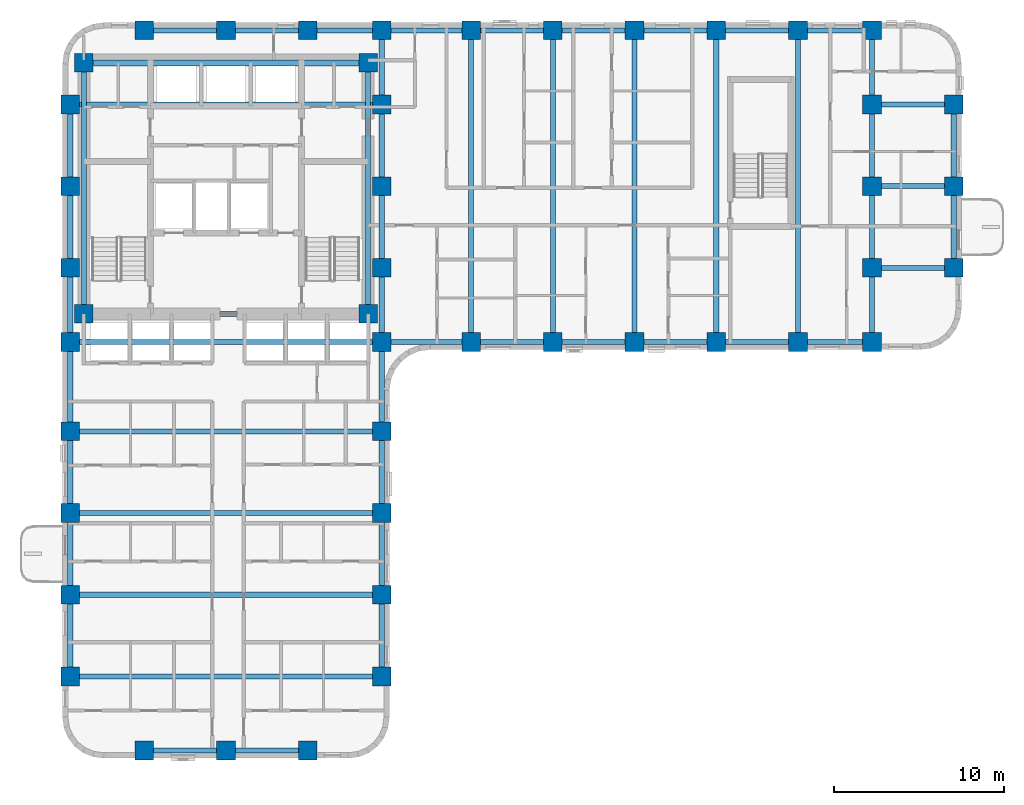
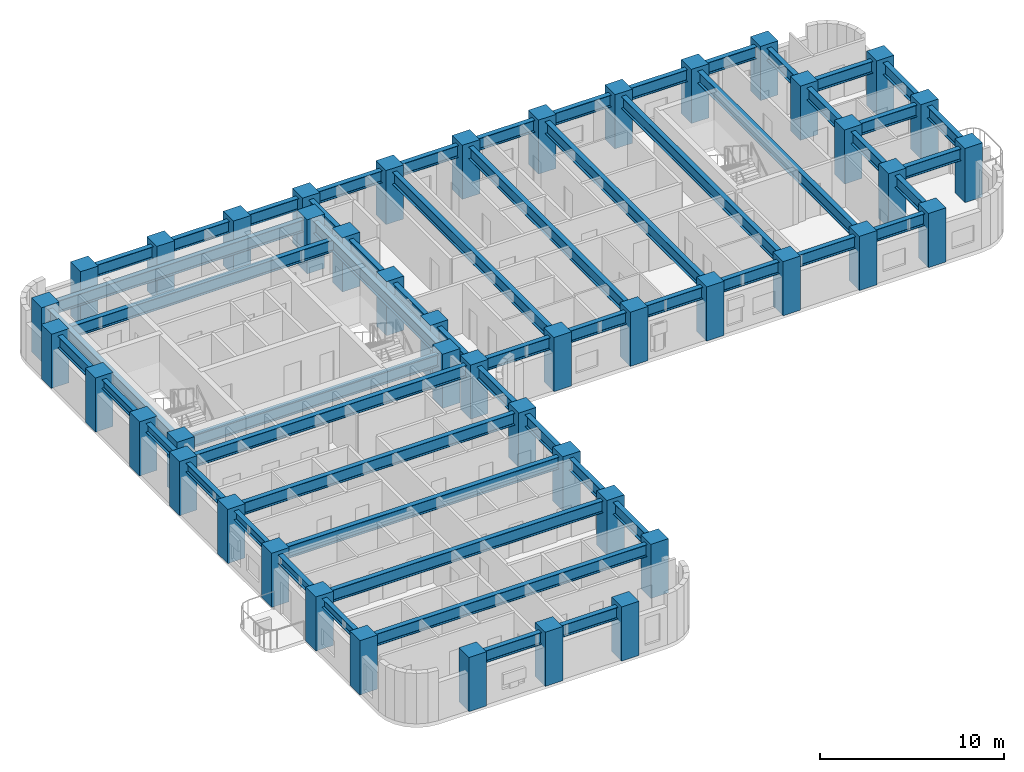
# One storey, part 1 of 10: 56 beams, 45 columns.
"""IFC4 building model written with IfcOpenShell, lengths in metres."""

from ifc_helpers import new_model, si_unit, direction, frame, origin, origin_2d, place, context, subcontext, project, spatial, rectangle, i_section, extrude, material, material_profile, profile_set, type_object, element, save


model = new_model("IFC4")

# Units and contexts
model_context = context("Model", 3, precision=1e-05, world=origin(), true_north=direction((0.0, 1.0)))
body_context = subcontext(model_context, "Body", "Model", "MODEL_VIEW")
ifc_project = project(units=[si_unit("LENGTHUNIT", "METRE"), si_unit("AREAUNIT", "SQUARE_METRE"), si_unit("VOLUMEUNIT", "CUBIC_METRE"), si_unit("PLANEANGLEUNIT", "RADIAN"), si_unit("MASSUNIT", "GRAM", prefix="KILO")], contexts=[model_context])

# Site, building, storey
site_placement = place(None, origin())
site = spatial("IfcSite", under=ifc_project, at=site_placement, CompositionType="ELEMENT")
building_placement = place(site_placement, origin())
building = spatial("IfcBuilding", under=site, at=building_placement, Name="Orvandelia Arch Residences", CompositionType="ELEMENT")
storey_placement = place(building_placement, frame((0.0, 0.0, 32.199951171875)))
storey = spatial("IfcBuildingStorey", under=building, at=storey_placement, Name="L07", CompositionType="ELEMENT", Elevation=32.199951171875)

# Columns
ifc_material_1 = material(Name="Concrete C80/95", Category="concrete")
ifc_material_profile_1 = material_profile(ifc_material_1, rectangle(XDim=1.10009765625, YDim=1.10009765625, at=origin_2d()), Name="Concrete C80/95", Category="concrete")
ifc_profile_set_1 = profile_set([ifc_material_profile_1], Name="Concrete C80/95")
column_type = type_object("IfcColumnType", Name="COL-TWR-1100", PredefinedType="COLUMN", material=ifc_profile_set_1)
for number, where, z_axis, x_axis, name in (
    (1, (5.25, 9.60009765625, 0.0), (0.0, 0.0, 1.0), (1.0, 0.0, 0.0), "Structural Column L07-W-W-96"),
    (2, (5.25, 14.39990234375, 0.0), (0.0, 0.0, 1.0), (1.0, 0.0, 0.0), "Structural Column L07-W-W-144"),
    (3, (5.25, 19.199951171875, 0.0), (0.0, 0.0, 1.0), (1.0, 0.0, 0.0), "Structural Column L07-W-W-192"),
    (4, (5.25, 24.0, 0.0), (0.0, 0.0, 1.0), (1.0, 0.0, 0.0), "Structural Column L07-W-W-240"),
    (5, (5.25, 29.25, 0.0), (0.0, 0.0, 1.0), (1.0, 0.0, 0.0), "Structural Column L07-W-W-292"),
    (6, (5.25, 33.60009765625, 0.0), (0.0, 0.0, 1.0), (1.0, 0.0, 0.0), "Structural Column L07-W-W-336"),
    (7, (5.25, 38.39990234375, 0.0), (0.0, 0.0, 1.0), (1.0, 0.0, 0.0), "Structural Column L07-W-W-384"),
    (8, (5.25, 43.199951171875, 0.0), (0.0, 0.0, 1.0), (1.0, 0.0, 0.0), "Structural Column L07-W-W-432"),
    (9, (6.050048828125, 30.89990234375, 0.0), (0.0, 0.0, 1.0), (1.0, 0.0, 0.0), "Structural Column L07-CR-SW"),
    (10, (6.050048828125, 45.64990234375, 0.0), (0.0, 0.0, 1.0), (1.0, 0.0, 0.0), "Structural Column L07-CR-NW"),
    (11, (9.60009765625, 5.25, 0.0), (0.0, 0.0, 1.0), (1.0, 0.0, 0.0), "Structural Column L07-W-S-96"),
    (12, (9.60009765625, 47.550048828125, 0.0), (0.0, 0.0, 1.0), (1.0, 0.0, 0.0), "Structural Column L07-W-N-96"),
    (13, (14.39990234375, 5.25, 0.0), (0.0, 0.0, 1.0), (1.0, 0.0, 0.0), "Structural Column L07-W-S-144"),
    (14, (14.39990234375, 47.550048828125, 0.0), (0.0, 0.0, 1.0), (1.0, 0.0, 0.0), "Structural Column L07-W-N-144"),
    (15, (19.199951171875, 5.25, 0.0), (0.0, 0.0, 1.0), (1.0, 0.0, 0.0), "Structural Column L07-W-S-192"),
    (16, (19.199951171875, 47.550048828125, 0.0), (0.0, 0.0, 1.0), (1.0, 0.0, 0.0), "Structural Column L07-W-N-192"),
    (17, (22.75, 30.89990234375, 0.0), (0.0, 0.0, 1.0), (1.0, 0.0, 0.0), "Structural Column L07-CR-SE"),
    (18, (22.75, 45.64990234375, 0.0), (0.0, 0.0, 1.0), (1.0, 0.0, 0.0), "Structural Column L07-CR-NE"),
    (19, (23.550048828125, 9.60009765625, 0.0), (0.0, 0.0, 1.0), (1.0, 0.0, 0.0), "Structural Column L07-W-E-96"),
    (20, (23.550048828125, 14.39990234375, 0.0), (0.0, 0.0, 1.0), (1.0, 0.0, 0.0), "Structural Column L07-W-E-144"),
    (21, (23.550048828125, 19.199951171875, 0.0), (0.0, 0.0, 1.0), (1.0, 0.0, 0.0), "Structural Column L07-W-E-192"),
    (22, (23.550048828125, 24.0, 0.0), (0.0, 0.0, 1.0), (1.0, 0.0, 0.0), "Structural Column L07-W-E-240"),
    (23, (23.550048828125, 29.25, 0.0), (0.0, 0.0, 1.0), (1.0, 0.0, 0.0), "Structural Column L07-W-E-292"),
    (24, (23.550048828125, 33.60009765625, 0.0), (0.0, 0.0, 1.0), (1.0, 0.0, 0.0), "Structural Column L07-W-E-336"),
    (25, (23.550048828125, 38.39990234375, 0.0), (0.0, 0.0, 1.0), (1.0, 0.0, 0.0), "Structural Column L07-W-E-384"),
    (26, (23.550048828125, 43.199951171875, 0.0), (0.0, 0.0, 1.0), (1.0, 0.0, 0.0), "Structural Column L07-W-E-432"),
    (27, (23.550048828125, 47.550048828125, 0.0), (0.0, 0.0, 1.0), (1.0, 0.0, 0.0), "Structural Column L07-W-N-235"),
    (28, (28.800048828125, 29.25, 0.0), (0.0, 0.0, 1.0), (1.0, 0.0, 0.0), "Structural Column L07-E-S-288"),
    (29, (28.800048828125, 47.550048828125, 0.0), (0.0, 0.0, 1.0), (1.0, 0.0, 0.0), "Structural Column L07-E-N-288"),
    (30, (33.60009765625, 29.25, 0.0), (0.0, 0.0, 1.0), (1.0, 0.0, 0.0), "Structural Column L07-E-S-336"),
    (31, (33.60009765625, 47.550048828125, 0.0), (0.0, 0.0, 1.0), (1.0, 0.0, 0.0), "Structural Column L07-E-N-336"),
    (32, (38.39990234375, 29.25, 0.0), (0.0, 0.0, 1.0), (1.0, 0.0, 0.0), "Structural Column L07-E-S-384"),
    (33, (38.39990234375, 47.550048828125, 0.0), (0.0, 0.0, 1.0), (1.0, 0.0, 0.0), "Structural Column L07-E-N-384"),
    (34, (43.199951171875, 29.25, 0.0), (0.0, 0.0, 1.0), (1.0, 0.0, 0.0), "Structural Column L07-E-S-432"),
    (35, (43.199951171875, 47.550048828125, 0.0), (0.0, 0.0, 1.0), (1.0, 0.0, 0.0), "Structural Column L07-E-N-432"),
    (36, (48.0, 29.25, 0.0), (0.0, 0.0, 1.0), (1.0, 0.0, 0.0), "Structural Column L07-E-S-480"),
    (37, (48.0, 47.550048828125, 0.0), (0.0, 0.0, 1.0), (1.0, 0.0, 0.0), "Structural Column L07-E-N-480"),
    (38, (52.35009765625, 29.25, 0.0), (0.0, 0.0, 1.0), (1.0, 0.0, 0.0), "Structural Column L07-E-S-523"),
    (39, (52.35009765625, 33.60009765625, 0.0), (0.0, 0.0, 1.0), (1.0, 0.0, 0.0), "Structural Column L07-E-523-336"),
    (40, (52.35009765625, 38.39990234375, 0.0), (0.0, 0.0, 1.0), (1.0, 0.0, 0.0), "Structural Column L07-E-523-384"),
    (41, (52.35009765625, 43.199951171875, 0.0), (0.0, 0.0, 1.0), (1.0, 0.0, 0.0), "Structural Column L07-E-523-432"),
    (42, (52.35009765625, 47.550048828125, 0.0), (0.0, 0.0, 1.0), (1.0, 0.0, 0.0), "Structural Column L07-E-N-523"),
    (43, (57.14990234375, 33.60009765625, 0.0), (0.0, 0.0, 1.0), (1.0, 0.0, 0.0), "Structural Column L07-E-571-336"),
    (44, (57.14990234375, 38.39990234375, 0.0), (0.0, 0.0, 1.0), (1.0, 0.0, 0.0), "Structural Column L07-E-571-384"),
    (45, (57.14990234375, 43.199951171875, 0.0), (0.0, 0.0, 1.0), (1.0, 0.0, 0.0), "Structural Column L07-E-571-432"),
):
    element("IfcColumn", number, at=place(storey_placement, frame(where, z_axis=z_axis, x_axis=x_axis)), inside=storey, type_object=column_type, Name=name, PredefinedType="COLUMN", context=body_context, shape_type="SweptSolid", body=[
        extrude(rectangle(XDim=1.10009765625, YDim=1.10009765625, at=origin_2d()), origin(), (0.0, 0.0, 1.0), 3.60009765625),
    ])

# Beams
ifc_material_2 = material(Name="Structural Steel SM355 (355 MPa)", Category="steel")
ifc_material_profile_2 = material_profile(ifc_material_2, i_section(OverallWidth=0.300048828125, OverallDepth=0.800048828125, WebThickness=0.013916015625, FlangeThickness=0.02587890625, FilletRadius=0.02587890625, at=origin_2d()), Name="Structural Steel SM355 (355 MPa)", Category="steel")
ifc_profile_set_2 = profile_set([ifc_material_profile_2], Name="Structural Steel SM355 (355 MPa)")
beam_type_1 = type_object("IfcBeamType", Name="BM-GRD-H800", PredefinedType="BEAM", material=ifc_profile_set_2)
beam_1_placement = place(storey_placement, frame((5.25, 38.39990234375, 2.949951171875), z_axis=(0.0, 1.0, 0.0), x_axis=(-1.0, 0.0, 0.0)))
element("IfcBeam", 46, at=beam_1_placement, inside=storey, type_object=beam_type_1, Name="Structural Frame Beam L07-NS-007", PredefinedType="BEAM", context=body_context, shape_type="SweptSolid", body=[
    extrude(i_section(OverallWidth=0.300048828125, OverallDepth=0.800048828125, WebThickness=0.013916015625, FlangeThickness=0.02587890625, FilletRadius=0.02587890625, at=origin_2d()), origin(), (0.0, 0.0, 1.0), 4.800048828125),
])
for number, where, z_axis, x_axis, name in (
    (47, (6.050048828125, 30.89990234375, 2.949951171875), (0.0, 1.0, 0.0), (-1.0, 0.0, 0.0), "Structural Frame Beam L07-NS-008"),
    (48, (22.75, 30.89990234375, 2.949951171875), (0.0, 1.0, 0.0), (-1.0, 0.0, 0.0), "Structural Frame Beam L07-NS-009"),
):
    element("IfcBeam", number, at=place(storey_placement, frame(where, z_axis=z_axis, x_axis=x_axis)), inside=storey, type_object=beam_type_1, Name=name, PredefinedType="BEAM", context=body_context, shape_type="SweptSolid", body=[
        extrude(i_section(OverallWidth=0.300048828125, OverallDepth=0.800048828125, WebThickness=0.013916015625, FlangeThickness=0.02587890625, FilletRadius=0.02587890625, at=origin_2d()), origin(), (0.0, 0.0, 1.0), 14.75),
    ])
beam_2_placement = place(storey_placement, frame((23.550048828125, 9.60009765625, 2.949951171875), z_axis=(0.0, 1.0, 0.0), x_axis=(-1.0, 0.0, 0.0)))
element("IfcBeam", 49, at=beam_2_placement, inside=storey, type_object=beam_type_1, Name="Structural Frame Beam L07-NS-010", PredefinedType="BEAM", context=body_context, shape_type="SweptSolid", body=[
    extrude(i_section(OverallWidth=0.300048828125, OverallDepth=0.800048828125, WebThickness=0.013916015625, FlangeThickness=0.02587890625, FilletRadius=0.02587890625, at=origin_2d()), origin(), (0.0, 0.0, 1.0), 4.7998046875),
])
for number, where, z_axis, x_axis, name in (
    (50, (23.550048828125, 14.39990234375, 2.949951171875), (0.0, 1.0, 0.0), (-1.0, 0.0, 0.0), "Structural Frame Beam L07-NS-011"),
    (51, (23.550048828125, 19.199951171875, 2.949951171875), (0.0, 1.0, 0.0), (-1.0, 0.0, 0.0), "Structural Frame Beam L07-NS-012"),
):
    element("IfcBeam", number, at=place(storey_placement, frame(where, z_axis=z_axis, x_axis=x_axis)), inside=storey, type_object=beam_type_1, Name=name, PredefinedType="BEAM", context=body_context, shape_type="SweptSolid", body=[
        extrude(i_section(OverallWidth=0.300048828125, OverallDepth=0.800048828125, WebThickness=0.013916015625, FlangeThickness=0.02587890625, FilletRadius=0.02587890625, at=origin_2d()), origin(), (0.0, 0.0, 1.0), 4.800048828125),
    ])
beam_3_placement = place(storey_placement, frame((23.550048828125, 24.0, 2.949951171875), z_axis=(0.0, 1.0, 0.0), x_axis=(-1.0, 0.0, 0.0)))
element("IfcBeam", 52, at=beam_3_placement, inside=storey, type_object=beam_type_1, Name="Structural Frame Beam L07-NS-013", PredefinedType="BEAM", context=body_context, shape_type="SweptSolid", body=[
    extrude(i_section(OverallWidth=0.300048828125, OverallDepth=0.800048828125, WebThickness=0.013916015625, FlangeThickness=0.02587890625, FilletRadius=0.02587890625, at=origin_2d()), origin(), (0.0, 0.0, 1.0), 5.25),
])
beam_4_placement = place(storey_placement, frame((23.550048828125, 29.25, 2.949951171875), z_axis=(0.0, 1.0, 0.0), x_axis=(-1.0, 0.0, 0.0)))
element("IfcBeam", 53, at=beam_4_placement, inside=storey, type_object=beam_type_1, Name="Structural Frame Beam L07-NS-014", PredefinedType="BEAM", context=body_context, shape_type="SweptSolid", body=[
    extrude(i_section(OverallWidth=0.300048828125, OverallDepth=0.800048828125, WebThickness=0.013916015625, FlangeThickness=0.02587890625, FilletRadius=0.02587890625, at=origin_2d()), origin(), (0.0, 0.0, 1.0), 4.35009765625),
])
beam_5_placement = place(storey_placement, frame((23.550048828125, 33.60009765625, 2.949951171875), z_axis=(0.0, 1.0, 0.0), x_axis=(-1.0, 0.0, 0.0)))
element("IfcBeam", 54, at=beam_5_placement, inside=storey, type_object=beam_type_1, Name="Structural Frame Beam L07-NS-015", PredefinedType="BEAM", context=body_context, shape_type="SweptSolid", body=[
    extrude(i_section(OverallWidth=0.300048828125, OverallDepth=0.800048828125, WebThickness=0.013916015625, FlangeThickness=0.02587890625, FilletRadius=0.02587890625, at=origin_2d()), origin(), (0.0, 0.0, 1.0), 4.7998046875),
])
beam_6_placement = place(storey_placement, frame((23.550048828125, 38.39990234375, 2.949951171875), z_axis=(0.0, 1.0, 0.0), x_axis=(-1.0, 0.0, 0.0)))
element("IfcBeam", 55, at=beam_6_placement, inside=storey, type_object=beam_type_1, Name="Structural Frame Beam L07-NS-016", PredefinedType="BEAM", context=body_context, shape_type="SweptSolid", body=[
    extrude(i_section(OverallWidth=0.300048828125, OverallDepth=0.800048828125, WebThickness=0.013916015625, FlangeThickness=0.02587890625, FilletRadius=0.02587890625, at=origin_2d()), origin(), (0.0, 0.0, 1.0), 4.800048828125),
])
beam_7_placement = place(storey_placement, frame((23.550048828125, 43.199951171875, 2.949951171875), z_axis=(0.0, 1.0, 0.0), x_axis=(-1.0, 0.0, 0.0)))
element("IfcBeam", 56, at=beam_7_placement, inside=storey, type_object=beam_type_1, Name="Structural Frame Beam L07-NS-017", PredefinedType="BEAM", context=body_context, shape_type="SweptSolid", body=[
    extrude(i_section(OverallWidth=0.300048828125, OverallDepth=0.800048828125, WebThickness=0.013916015625, FlangeThickness=0.02587890625, FilletRadius=0.02587890625, at=origin_2d()), origin(), (0.0, 0.0, 1.0), 4.35009765625),
])
for number, where, z_axis, x_axis, name in (
    (57, (28.800048828125, 29.25, 2.949951171875), (0.0, 1.0, 0.0), (-1.0, 0.0, 0.0), "Structural Frame Beam L07-NS-018"),
    (58, (33.60009765625, 29.25, 2.949951171875), (0.0, 1.0, 0.0), (-1.0, 0.0, 0.0), "Structural Frame Beam L07-NS-019"),
    (59, (38.39990234375, 29.25, 2.949951171875), (0.0, 1.0, 0.0), (-1.0, 0.0, 0.0), "Structural Frame Beam L07-NS-020"),
    (60, (43.199951171875, 29.25, 2.949951171875), (0.0, 1.0, 0.0), (-1.0, 0.0, 0.0), "Structural Frame Beam L07-NS-021"),
    (61, (48.0, 29.25, 2.949951171875), (0.0, 1.0, 0.0), (-1.0, 0.0, 0.0), "Structural Frame Beam L07-NS-022"),
):
    element("IfcBeam", number, at=place(storey_placement, frame(where, z_axis=z_axis, x_axis=x_axis)), inside=storey, type_object=beam_type_1, Name=name, PredefinedType="BEAM", context=body_context, shape_type="SweptSolid", body=[
        extrude(i_section(OverallWidth=0.300048828125, OverallDepth=0.800048828125, WebThickness=0.013916015625, FlangeThickness=0.02587890625, FilletRadius=0.02587890625, at=origin_2d()), origin(), (0.0, 0.0, 1.0), 18.300048828125),
    ])
beam_8_placement = place(storey_placement, frame((52.35009765625, 29.25, 2.949951171875), z_axis=(0.0, 1.0, 0.0), x_axis=(-1.0, 0.0, 0.0)))
element("IfcBeam", 62, at=beam_8_placement, inside=storey, type_object=beam_type_1, Name="Structural Frame Beam L07-NS-023", PredefinedType="BEAM", context=body_context, shape_type="SweptSolid", body=[
    extrude(i_section(OverallWidth=0.300048828125, OverallDepth=0.800048828125, WebThickness=0.013916015625, FlangeThickness=0.02587890625, FilletRadius=0.02587890625, at=origin_2d()), origin(), (0.0, 0.0, 1.0), 4.35009765625),
])
beam_9_placement = place(storey_placement, frame((52.35009765625, 33.60009765625, 2.949951171875), z_axis=(0.0, 1.0, 0.0), x_axis=(-1.0, 0.0, 0.0)))
element("IfcBeam", 63, at=beam_9_placement, inside=storey, type_object=beam_type_1, Name="Structural Frame Beam L07-NS-024", PredefinedType="BEAM", context=body_context, shape_type="SweptSolid", body=[
    extrude(i_section(OverallWidth=0.300048828125, OverallDepth=0.800048828125, WebThickness=0.013916015625, FlangeThickness=0.02587890625, FilletRadius=0.02587890625, at=origin_2d()), origin(), (0.0, 0.0, 1.0), 4.7998046875),
])
beam_10_placement = place(storey_placement, frame((52.35009765625, 38.39990234375, 2.949951171875), z_axis=(0.0, 1.0, 0.0), x_axis=(-1.0, 0.0, 0.0)))
element("IfcBeam", 64, at=beam_10_placement, inside=storey, type_object=beam_type_1, Name="Structural Frame Beam L07-NS-025", PredefinedType="BEAM", context=body_context, shape_type="SweptSolid", body=[
    extrude(i_section(OverallWidth=0.300048828125, OverallDepth=0.800048828125, WebThickness=0.013916015625, FlangeThickness=0.02587890625, FilletRadius=0.02587890625, at=origin_2d()), origin(), (0.0, 0.0, 1.0), 4.800048828125),
])
beam_11_placement = place(storey_placement, frame((52.35009765625, 43.199951171875, 2.949951171875), z_axis=(0.0, 1.0, 0.0), x_axis=(-1.0, 0.0, 0.0)))
element("IfcBeam", 65, at=beam_11_placement, inside=storey, type_object=beam_type_1, Name="Structural Frame Beam L07-NS-026", PredefinedType="BEAM", context=body_context, shape_type="SweptSolid", body=[
    extrude(i_section(OverallWidth=0.300048828125, OverallDepth=0.800048828125, WebThickness=0.013916015625, FlangeThickness=0.02587890625, FilletRadius=0.02587890625, at=origin_2d()), origin(), (0.0, 0.0, 1.0), 4.35009765625),
])
beam_12_placement = place(storey_placement, frame((57.14990234375, 33.60009765625, 2.949951171875), z_axis=(0.0, 1.0, 0.0), x_axis=(-1.0, 0.0, 0.0)))
element("IfcBeam", 66, at=beam_12_placement, inside=storey, type_object=beam_type_1, Name="Structural Frame Beam L07-NS-027", PredefinedType="BEAM", context=body_context, shape_type="SweptSolid", body=[
    extrude(i_section(OverallWidth=0.300048828125, OverallDepth=0.800048828125, WebThickness=0.013916015625, FlangeThickness=0.02587890625, FilletRadius=0.02587890625, at=origin_2d()), origin(), (0.0, 0.0, 1.0), 4.7998046875),
])
beam_13_placement = place(storey_placement, frame((57.14990234375, 38.39990234375, 2.949951171875), z_axis=(0.0, 1.0, 0.0), x_axis=(-1.0, 0.0, 0.0)))
element("IfcBeam", 67, at=beam_13_placement, inside=storey, type_object=beam_type_1, Name="Structural Frame Beam L07-NS-028", PredefinedType="BEAM", context=body_context, shape_type="SweptSolid", body=[
    extrude(i_section(OverallWidth=0.300048828125, OverallDepth=0.800048828125, WebThickness=0.013916015625, FlangeThickness=0.02587890625, FilletRadius=0.02587890625, at=origin_2d()), origin(), (0.0, 0.0, 1.0), 4.800048828125),
])
beam_14_placement = place(storey_placement, frame((9.60009765625, 5.25, 2.949951171875), z_axis=(1.0, 0.0, 0.0), x_axis=(0.0, 1.0, 0.0)))
element("IfcBeam", 68, at=beam_14_placement, inside=storey, type_object=beam_type_1, Name="Structural Frame Girder L07-EW-029", PredefinedType="BEAM", context=body_context, shape_type="SweptSolid", body=[
    extrude(i_section(OverallWidth=0.300048828125, OverallDepth=0.800048828125, WebThickness=0.013916015625, FlangeThickness=0.02587890625, FilletRadius=0.02587890625, at=origin_2d()), origin(), (0.0, 0.0, 1.0), 4.7998046875),
])
beam_15_placement = place(storey_placement, frame((14.39990234375, 5.25, 2.949951171875), z_axis=(1.0, 0.0, 0.0), x_axis=(0.0, 1.0, 0.0)))
element("IfcBeam", 69, at=beam_15_placement, inside=storey, type_object=beam_type_1, Name="Structural Frame Girder L07-EW-030", PredefinedType="BEAM", context=body_context, shape_type="SweptSolid", body=[
    extrude(i_section(OverallWidth=0.300048828125, OverallDepth=0.800048828125, WebThickness=0.013916015625, FlangeThickness=0.02587890625, FilletRadius=0.02587890625, at=origin_2d()), origin(), (0.0, 0.0, 1.0), 4.800048828125),
])
for number, where, z_axis, x_axis, name in (
    (70, (5.25, 9.60009765625, 2.949951171875), (1.0, 0.0, 0.0), (0.0, 1.0, 0.0), "Structural Frame Girder L07-EW-031"),
    (71, (5.25, 14.39990234375, 2.949951171875), (1.0, 0.0, 0.0), (0.0, 1.0, 0.0), "Structural Frame Girder L07-EW-032"),
    (72, (5.25, 19.199951171875, 2.949951171875), (1.0, 0.0, 0.0), (0.0, 1.0, 0.0), "Structural Frame Girder L07-EW-033"),
    (73, (5.25, 24.0, 2.949951171875), (1.0, 0.0, 0.0), (0.0, 1.0, 0.0), "Structural Frame Girder L07-EW-034"),
    (74, (5.25, 29.25, 2.949951171875), (1.0, 0.0, 0.0), (0.0, 1.0, 0.0), "Structural Frame Girder L07-EW-035"),
):
    element("IfcBeam", number, at=place(storey_placement, frame(where, z_axis=z_axis, x_axis=x_axis)), inside=storey, type_object=beam_type_1, Name=name, PredefinedType="BEAM", context=body_context, shape_type="SweptSolid", body=[
        extrude(i_section(OverallWidth=0.300048828125, OverallDepth=0.800048828125, WebThickness=0.013916015625, FlangeThickness=0.02587890625, FilletRadius=0.02587890625, at=origin_2d()), origin(), (0.0, 0.0, 1.0), 18.300048828125),
    ])
beam_16_placement = place(storey_placement, frame((23.550048828125, 29.25, 2.949951171875), z_axis=(1.0, 0.0, 0.0), x_axis=(0.0, 1.0, 0.0)))
element("IfcBeam", 75, at=beam_16_placement, inside=storey, type_object=beam_type_1, Name="Structural Frame Girder L07-EW-036", PredefinedType="BEAM", context=body_context, shape_type="SweptSolid", body=[
    extrude(i_section(OverallWidth=0.300048828125, OverallDepth=0.800048828125, WebThickness=0.013916015625, FlangeThickness=0.02587890625, FilletRadius=0.02587890625, at=origin_2d()), origin(), (0.0, 0.0, 1.0), 5.25),
])
beam_17_placement = place(storey_placement, frame((28.800048828125, 29.25, 2.949951171875), z_axis=(1.0, 0.0, 0.0), x_axis=(0.0, 1.0, 0.0)))
element("IfcBeam", 76, at=beam_17_placement, inside=storey, type_object=beam_type_1, Name="Structural Frame Girder L07-EW-037", PredefinedType="BEAM", context=body_context, shape_type="SweptSolid", body=[
    extrude(i_section(OverallWidth=0.300048828125, OverallDepth=0.800048828125, WebThickness=0.013916015625, FlangeThickness=0.02587890625, FilletRadius=0.02587890625, at=origin_2d()), origin(), (0.0, 0.0, 1.0), 4.800048828125),
])
beam_18_placement = place(storey_placement, frame((33.60009765625, 29.25, 2.949951171875), z_axis=(1.0, 0.0, 0.0), x_axis=(0.0, 1.0, 0.0)))
element("IfcBeam", 77, at=beam_18_placement, inside=storey, type_object=beam_type_1, Name="Structural Frame Girder L07-EW-038", PredefinedType="BEAM", context=body_context, shape_type="SweptSolid", body=[
    extrude(i_section(OverallWidth=0.300048828125, OverallDepth=0.800048828125, WebThickness=0.013916015625, FlangeThickness=0.02587890625, FilletRadius=0.02587890625, at=origin_2d()), origin(), (0.0, 0.0, 1.0), 4.7998046875),
])
for number, where, z_axis, x_axis, name in (
    (78, (38.39990234375, 29.25, 2.949951171875), (1.0, 0.0, 0.0), (0.0, 1.0, 0.0), "Structural Frame Girder L07-EW-039"),
    (79, (43.199951171875, 29.25, 2.949951171875), (1.0, 0.0, 0.0), (0.0, 1.0, 0.0), "Structural Frame Girder L07-EW-040"),
):
    element("IfcBeam", number, at=place(storey_placement, frame(where, z_axis=z_axis, x_axis=x_axis)), inside=storey, type_object=beam_type_1, Name=name, PredefinedType="BEAM", context=body_context, shape_type="SweptSolid", body=[
        extrude(i_section(OverallWidth=0.300048828125, OverallDepth=0.800048828125, WebThickness=0.013916015625, FlangeThickness=0.02587890625, FilletRadius=0.02587890625, at=origin_2d()), origin(), (0.0, 0.0, 1.0), 4.800048828125),
    ])
beam_19_placement = place(storey_placement, frame((48.0, 29.25, 2.949951171875), z_axis=(1.0, 0.0, 0.0), x_axis=(0.0, 1.0, 0.0)))
element("IfcBeam", 80, at=beam_19_placement, inside=storey, type_object=beam_type_1, Name="Structural Frame Girder L07-EW-041", PredefinedType="BEAM", context=body_context, shape_type="SweptSolid", body=[
    extrude(i_section(OverallWidth=0.300048828125, OverallDepth=0.800048828125, WebThickness=0.013916015625, FlangeThickness=0.02587890625, FilletRadius=0.02587890625, at=origin_2d()), origin(), (0.0, 0.0, 1.0), 4.35009765625),
])
beam_20_placement = place(storey_placement, frame((6.050048828125, 30.89990234375, 2.949951171875), z_axis=(1.0, 0.0, 0.0), x_axis=(0.0, 1.0, 0.0)))
element("IfcBeam", 81, at=beam_20_placement, inside=storey, type_object=beam_type_1, Name="Structural Frame Girder L07-EW-042", PredefinedType="BEAM", context=body_context, shape_type="SweptSolid", body=[
    extrude(i_section(OverallWidth=0.300048828125, OverallDepth=0.800048828125, WebThickness=0.013916015625, FlangeThickness=0.02587890625, FilletRadius=0.02587890625, at=origin_2d()), origin(), (0.0, 0.0, 1.0), 16.699951171875),
])
for number, where, z_axis, x_axis, name in (
    (82, (52.35009765625, 33.60009765625, 2.949951171875), (1.0, 0.0, 0.0), (0.0, 1.0, 0.0), "Structural Frame Girder L07-EW-044"),
    (83, (52.35009765625, 38.39990234375, 2.949951171875), (1.0, 0.0, 0.0), (0.0, 1.0, 0.0), "Structural Frame Girder L07-EW-046"),
):
    element("IfcBeam", number, at=place(storey_placement, frame(where, z_axis=z_axis, x_axis=x_axis)), inside=storey, type_object=beam_type_1, Name=name, PredefinedType="BEAM", context=body_context, shape_type="SweptSolid", body=[
        extrude(i_section(OverallWidth=0.300048828125, OverallDepth=0.800048828125, WebThickness=0.013916015625, FlangeThickness=0.02587890625, FilletRadius=0.02587890625, at=origin_2d()), origin(), (0.0, 0.0, 1.0), 4.7998046875),
    ])
beam_21_placement = place(storey_placement, frame((5.25, 43.199951171875, 2.949951171875), z_axis=(1.0, 0.0, 0.0), x_axis=(0.0, 1.0, 0.0)))
element("IfcBeam", 84, at=beam_21_placement, inside=storey, type_object=beam_type_1, Name="Structural Frame Girder L07-EW-047", PredefinedType="BEAM", context=body_context, shape_type="SweptSolid", body=[
    extrude(i_section(OverallWidth=0.300048828125, OverallDepth=0.800048828125, WebThickness=0.013916015625, FlangeThickness=0.02587890625, FilletRadius=0.02587890625, at=origin_2d()), origin(), (0.0, 0.0, 1.0), 18.300048828125),
])
beam_22_placement = place(storey_placement, frame((52.35009765625, 43.199951171875, 2.949951171875), z_axis=(1.0, 0.0, 0.0), x_axis=(0.0, 1.0, 0.0)))
element("IfcBeam", 85, at=beam_22_placement, inside=storey, type_object=beam_type_1, Name="Structural Frame Girder L07-EW-048", PredefinedType="BEAM", context=body_context, shape_type="SweptSolid", body=[
    extrude(i_section(OverallWidth=0.300048828125, OverallDepth=0.800048828125, WebThickness=0.013916015625, FlangeThickness=0.02587890625, FilletRadius=0.02587890625, at=origin_2d()), origin(), (0.0, 0.0, 1.0), 4.7998046875),
])
beam_23_placement = place(storey_placement, frame((6.050048828125, 45.64990234375, 2.949951171875), z_axis=(1.0, 0.0, 0.0), x_axis=(0.0, 1.0, 0.0)))
element("IfcBeam", 86, at=beam_23_placement, inside=storey, type_object=beam_type_1, Name="Structural Frame Girder L07-EW-049", PredefinedType="BEAM", context=body_context, shape_type="SweptSolid", body=[
    extrude(i_section(OverallWidth=0.300048828125, OverallDepth=0.800048828125, WebThickness=0.013916015625, FlangeThickness=0.02587890625, FilletRadius=0.02587890625, at=origin_2d()), origin(), (0.0, 0.0, 1.0), 16.699951171875),
])
beam_24_placement = place(storey_placement, frame((9.60009765625, 47.550048828125, 2.949951171875), z_axis=(1.0, 0.0, 0.0), x_axis=(0.0, 1.0, 0.0)))
element("IfcBeam", 87, at=beam_24_placement, inside=storey, type_object=beam_type_1, Name="Structural Frame Girder L07-EW-050", PredefinedType="BEAM", context=body_context, shape_type="SweptSolid", body=[
    extrude(i_section(OverallWidth=0.300048828125, OverallDepth=0.800048828125, WebThickness=0.013916015625, FlangeThickness=0.02587890625, FilletRadius=0.02587890625, at=origin_2d()), origin(), (0.0, 0.0, 1.0), 4.7998046875),
])
beam_25_placement = place(storey_placement, frame((14.39990234375, 47.550048828125, 2.949951171875), z_axis=(1.0, 0.0, 0.0), x_axis=(0.0, 1.0, 0.0)))
element("IfcBeam", 88, at=beam_25_placement, inside=storey, type_object=beam_type_1, Name="Structural Frame Girder L07-EW-051", PredefinedType="BEAM", context=body_context, shape_type="SweptSolid", body=[
    extrude(i_section(OverallWidth=0.300048828125, OverallDepth=0.800048828125, WebThickness=0.013916015625, FlangeThickness=0.02587890625, FilletRadius=0.02587890625, at=origin_2d()), origin(), (0.0, 0.0, 1.0), 4.800048828125),
])
beam_26_placement = place(storey_placement, frame((19.199951171875, 47.550048828125, 2.949951171875), z_axis=(1.0, 0.0, 0.0), x_axis=(0.0, 1.0, 0.0)))
element("IfcBeam", 89, at=beam_26_placement, inside=storey, type_object=beam_type_1, Name="Structural Frame Girder L07-EW-052", PredefinedType="BEAM", context=body_context, shape_type="SweptSolid", body=[
    extrude(i_section(OverallWidth=0.300048828125, OverallDepth=0.800048828125, WebThickness=0.013916015625, FlangeThickness=0.02587890625, FilletRadius=0.02587890625, at=origin_2d()), origin(), (0.0, 0.0, 1.0), 4.35009765625),
])
beam_27_placement = place(storey_placement, frame((23.550048828125, 47.550048828125, 2.949951171875), z_axis=(1.0, 0.0, 0.0), x_axis=(0.0, 1.0, 0.0)))
element("IfcBeam", 90, at=beam_27_placement, inside=storey, type_object=beam_type_1, Name="Structural Frame Girder L07-EW-053", PredefinedType="BEAM", context=body_context, shape_type="SweptSolid", body=[
    extrude(i_section(OverallWidth=0.300048828125, OverallDepth=0.800048828125, WebThickness=0.013916015625, FlangeThickness=0.02587890625, FilletRadius=0.02587890625, at=origin_2d()), origin(), (0.0, 0.0, 1.0), 5.25),
])
beam_28_placement = place(storey_placement, frame((28.800048828125, 47.550048828125, 2.949951171875), z_axis=(1.0, 0.0, 0.0), x_axis=(0.0, 1.0, 0.0)))
element("IfcBeam", 91, at=beam_28_placement, inside=storey, type_object=beam_type_1, Name="Structural Frame Girder L07-EW-054", PredefinedType="BEAM", context=body_context, shape_type="SweptSolid", body=[
    extrude(i_section(OverallWidth=0.300048828125, OverallDepth=0.800048828125, WebThickness=0.013916015625, FlangeThickness=0.02587890625, FilletRadius=0.02587890625, at=origin_2d()), origin(), (0.0, 0.0, 1.0), 4.800048828125),
])
beam_29_placement = place(storey_placement, frame((33.60009765625, 47.550048828125, 2.949951171875), z_axis=(1.0, 0.0, 0.0), x_axis=(0.0, 1.0, 0.0)))
element("IfcBeam", 92, at=beam_29_placement, inside=storey, type_object=beam_type_1, Name="Structural Frame Girder L07-EW-055", PredefinedType="BEAM", context=body_context, shape_type="SweptSolid", body=[
    extrude(i_section(OverallWidth=0.300048828125, OverallDepth=0.800048828125, WebThickness=0.013916015625, FlangeThickness=0.02587890625, FilletRadius=0.02587890625, at=origin_2d()), origin(), (0.0, 0.0, 1.0), 4.7998046875),
])
for number, where, z_axis, x_axis, name in (
    (93, (38.39990234375, 47.550048828125, 2.949951171875), (1.0, 0.0, 0.0), (0.0, 1.0, 0.0), "Structural Frame Girder L07-EW-056"),
    (94, (43.199951171875, 47.550048828125, 2.949951171875), (1.0, 0.0, 0.0), (0.0, 1.0, 0.0), "Structural Frame Girder L07-EW-057"),
):
    element("IfcBeam", number, at=place(storey_placement, frame(where, z_axis=z_axis, x_axis=x_axis)), inside=storey, type_object=beam_type_1, Name=name, PredefinedType="BEAM", context=body_context, shape_type="SweptSolid", body=[
        extrude(i_section(OverallWidth=0.300048828125, OverallDepth=0.800048828125, WebThickness=0.013916015625, FlangeThickness=0.02587890625, FilletRadius=0.02587890625, at=origin_2d()), origin(), (0.0, 0.0, 1.0), 4.800048828125),
    ])
beam_30_placement = place(storey_placement, frame((48.0, 47.550048828125, 2.949951171875), z_axis=(1.0, 0.0, 0.0), x_axis=(0.0, 1.0, 0.0)))
element("IfcBeam", 95, at=beam_30_placement, inside=storey, type_object=beam_type_1, Name="Structural Frame Girder L07-EW-058", PredefinedType="BEAM", context=body_context, shape_type="SweptSolid", body=[
    extrude(i_section(OverallWidth=0.300048828125, OverallDepth=0.800048828125, WebThickness=0.013916015625, FlangeThickness=0.02587890625, FilletRadius=0.02587890625, at=origin_2d()), origin(), (0.0, 0.0, 1.0), 4.35009765625),
])
ifc_material_profile_3 = material_profile(ifc_material_2, i_section(OverallWidth=0.300048828125, OverallDepth=0.587890625, WebThickness=0.011962890625, FlangeThickness=0.02001953125, FilletRadius=0.02197265625, at=origin_2d()), Name="Structural Steel SM355 (355 MPa)", Category="steel")
ifc_profile_set_3 = profile_set([ifc_material_profile_3], Name="Structural Steel SM355 (355 MPa)")
beam_type_2 = type_object("IfcBeamType", Name="BM-SPN-H588", PredefinedType="SPANDREL", material=ifc_profile_set_3)
beam_31_placement = place(storey_placement, frame((5.25, 9.60009765625, 3.05615234375), z_axis=(0.0, 1.0, 0.0), x_axis=(-1.0, 0.0, 0.0)))
element("IfcBeam", 96, at=beam_31_placement, inside=storey, type_object=beam_type_2, Name="Structural Frame Beam L07-NS-001", PredefinedType="SPANDREL", context=body_context, shape_type="SweptSolid", body=[
    extrude(i_section(OverallWidth=0.300048828125, OverallDepth=0.587890625, WebThickness=0.011962890625, FlangeThickness=0.02001953125, FilletRadius=0.02197265625, at=origin_2d()), origin(), (0.0, 0.0, 1.0), 4.7998046875),
])
for number, where, z_axis, x_axis, name in (
    (97, (5.25, 14.39990234375, 3.05615234375), (0.0, 1.0, 0.0), (-1.0, 0.0, 0.0), "Structural Frame Beam L07-NS-002"),
    (98, (5.25, 19.199951171875, 3.05615234375), (0.0, 1.0, 0.0), (-1.0, 0.0, 0.0), "Structural Frame Beam L07-NS-003"),
):
    element("IfcBeam", number, at=place(storey_placement, frame(where, z_axis=z_axis, x_axis=x_axis)), inside=storey, type_object=beam_type_2, Name=name, PredefinedType="SPANDREL", context=body_context, shape_type="SweptSolid", body=[
        extrude(i_section(OverallWidth=0.300048828125, OverallDepth=0.587890625, WebThickness=0.011962890625, FlangeThickness=0.02001953125, FilletRadius=0.02197265625, at=origin_2d()), origin(), (0.0, 0.0, 1.0), 4.800048828125),
    ])
beam_32_placement = place(storey_placement, frame((5.25, 24.0, 3.05615234375), z_axis=(0.0, 1.0, 0.0), x_axis=(-1.0, 0.0, 0.0)))
element("IfcBeam", 99, at=beam_32_placement, inside=storey, type_object=beam_type_2, Name="Structural Frame Beam L07-NS-004", PredefinedType="SPANDREL", context=body_context, shape_type="SweptSolid", body=[
    extrude(i_section(OverallWidth=0.300048828125, OverallDepth=0.587890625, WebThickness=0.011962890625, FlangeThickness=0.02001953125, FilletRadius=0.02197265625, at=origin_2d()), origin(), (0.0, 0.0, 1.0), 5.25),
])
beam_33_placement = place(storey_placement, frame((5.25, 29.25, 3.05615234375), z_axis=(0.0, 1.0, 0.0), x_axis=(-1.0, 0.0, 0.0)))
element("IfcBeam", 100, at=beam_33_placement, inside=storey, type_object=beam_type_2, Name="Structural Frame Beam L07-NS-005", PredefinedType="SPANDREL", context=body_context, shape_type="SweptSolid", body=[
    extrude(i_section(OverallWidth=0.300048828125, OverallDepth=0.587890625, WebThickness=0.011962890625, FlangeThickness=0.02001953125, FilletRadius=0.02197265625, at=origin_2d()), origin(), (0.0, 0.0, 1.0), 4.35009765625),
])
beam_34_placement = place(storey_placement, frame((5.25, 33.60009765625, 3.05615234375), z_axis=(0.0, 1.0, 0.0), x_axis=(-1.0, 0.0, 0.0)))
element("IfcBeam", 101, at=beam_34_placement, inside=storey, type_object=beam_type_2, Name="Structural Frame Beam L07-NS-006", PredefinedType="SPANDREL", context=body_context, shape_type="SweptSolid", body=[
    extrude(i_section(OverallWidth=0.300048828125, OverallDepth=0.587890625, WebThickness=0.011962890625, FlangeThickness=0.02001953125, FilletRadius=0.02197265625, at=origin_2d()), origin(), (0.0, 0.0, 1.0), 4.7998046875),
])

save(model, "model.ifc")
